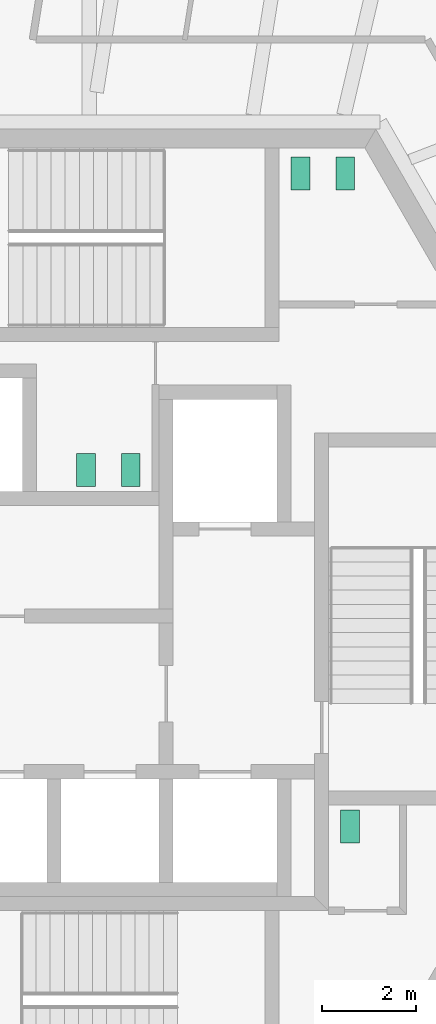
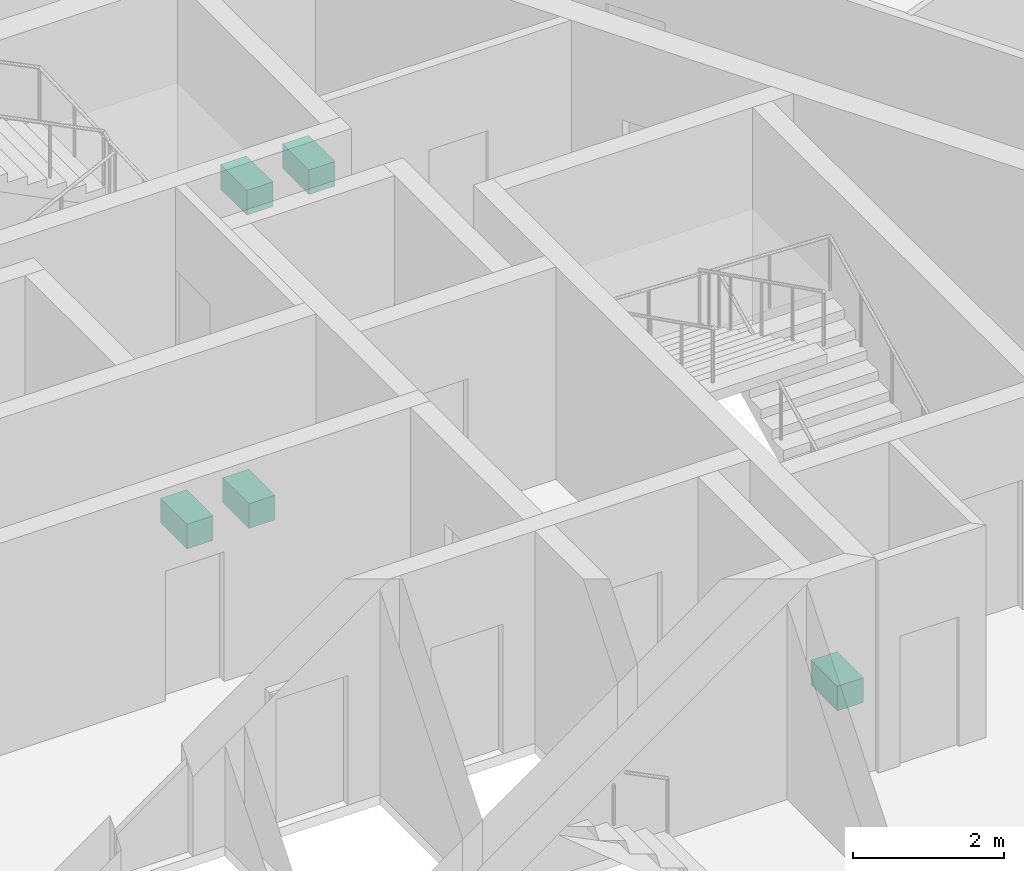
# One storey, part 17 of 19: 5 sanitary terminals.
"""IFC4 building model written with IfcOpenShell, lengths in metres."""

import ifcopenshell
import ifcopenshell.guid

model = None  # the IFC model being written
_history = None  # IfcOwnerHistory: only IFC2X3 demands one
_inside = {}  # id of a spatial element -> (the spatial element, [elements in it])
_under = {}  # id of a project, library or spatial element -> (it, [spatial elements below it])
_declared = {}  # id of a project -> (the project, [libraries it declares])
_typed = {}  # id of a type object -> (the type object, [elements of that type])
_made_of = {}  # id of a material, layer set ... -> (it, [elements and type objects made of it])


def new_model(schema):
    """Start an empty IFC model of exactly this schema.

    Asked for "IFC4X3", IfcOpenShell would pick the latest addendum, in which some entities
    have other attributes; the version numbers below select the first issue.
    IFC2X3 requires an IfcOwnerHistory on every rooted entity: one is made here for all.
    """
    global model, _history
    if schema == "IFC4X3":
        model = ifcopenshell.file(schema_version=(4, 3, 0, 0))
    else:
        model = ifcopenshell.file(schema=schema)
    _inside.clear()
    _under.clear()
    _declared.clear()
    _typed.clear()
    _made_of.clear()
    _history = None
    if model.schema == "IFC2X3":
        org = make("IfcOrganization", Name="unknown")
        user = make(
            "IfcPersonAndOrganization",
            ThePerson=make("IfcPerson", FamilyName="unknown"),
            TheOrganization=org,
        )
        app = make(
            "IfcApplication",
            ApplicationDeveloper=org,
            Version="unknown",
            ApplicationFullName="unknown",
            ApplicationIdentifier="unknown",
        )
        _history = make(
            "IfcOwnerHistory",
            OwningUser=user,
            OwningApplication=app,
            ChangeAction="ADDED",
            CreationDate=0,
        )
    return model


def make(cls, **values):
    """One entity of the class cls with the attributes given. An attribute that is None is left unset."""
    return model.create_entity(
        cls, **{name: value for name, value in values.items() if value is not None}
    )


def rooted(cls, **values):
    """An entity with a GlobalId (a new one), such as an element, a storey or a relation."""
    return make(cls, GlobalId=ifcopenshell.guid.new(), OwnerHistory=_history, **values)


def si_unit(unit_type, name, prefix=None):
    """IfcSIUnit, for example si_unit("LENGTHUNIT", "METRE", prefix="MILLI")."""
    return make("IfcSIUnit", UnitType=unit_type, Prefix=prefix, Name=name)


def assignment(units):
    """IfcUnitAssignment: the units of a project."""
    return None if units is None else make("IfcUnitAssignment", Units=units)


def point(xyz):
    """IfcCartesianPoint."""
    return None if xyz is None else make("IfcCartesianPoint", Coordinates=xyz)


def direction(xyz):
    """IfcDirection."""
    return None if xyz is None else make("IfcDirection", DirectionRatios=xyz)


def frame(location, z_axis=None, x_axis=None):
    """IfcAxis2Placement3D, a coordinate frame: its origin and axes. An axis left out is left unset."""
    return make(
        "IfcAxis2Placement3D",
        Location=point(location),
        Axis=direction(z_axis),
        RefDirection=direction(x_axis),
    )


def frame_2d(location, x_axis=None):
    """IfcAxis2Placement2D, a coordinate frame in the plane: its origin and x axis."""
    return make(
        "IfcAxis2Placement2D", Location=point(location), RefDirection=direction(x_axis)
    )


def origin():
    """The frame at (0, 0, 0) with its axes left unset."""
    return frame((0.0, 0.0, 0.0))


def origin_2d():
    """The frame at (0, 0) in the plane with its x axis left unset."""
    return frame_2d((0.0, 0.0))


def place(relative_to, where):
    """IfcLocalPlacement: puts the frame where relative to a parent placement (None: the world)."""
    return make(
        "IfcLocalPlacement", PlacementRelTo=relative_to, RelativePlacement=where
    )


def context(
    kind, dimensions, precision=None, world=None, true_north=None, identifier=None
):
    """IfcGeometricRepresentationContext, for example the 3D "Model" context."""
    return make(
        "IfcGeometricRepresentationContext",
        ContextIdentifier=identifier,
        ContextType=kind,
        CoordinateSpaceDimension=dimensions,
        Precision=precision,
        WorldCoordinateSystem=world,
        TrueNorth=true_north,
    )


def subcontext(parent, identifier, kind, view, scale=None):
    """IfcGeometricRepresentationSubContext, for example "Body" below "Model"."""
    return make(
        "IfcGeometricRepresentationSubContext",
        ContextIdentifier=identifier,
        ContextType=kind,
        ParentContext=parent,
        TargetScale=scale,
        TargetView=view,
    )


def project(units=None, contexts=None):
    """IfcProject with its units and contexts."""
    return rooted(
        "IfcProject",
        Name="project",
        RepresentationContexts=contexts,
        UnitsInContext=assignment(units),
    )


def spatial(cls, under=None, at=None, **own):
    """A site, building, storey or space (cls), placed at a placement, below another one or the project."""
    s = rooted(cls, ObjectPlacement=at, **own)
    if under is not None:
        _under.setdefault(under.id(), (under, []))[1].append(s)
    return s


def profile(cls, at=None, kind="AREA", **sizes):
    """A parametric profile (cls). Its sizes go by their IFC names, for example OverallWidth=200.0."""
    return make(cls, ProfileType=kind, Position=at, **sizes)


def rectangle(**sizes):
    """IfcRectangleProfileDef."""
    return profile("IfcRectangleProfileDef", **sizes)


def extrude(swept, where, along, depth):
    """IfcExtrudedAreaSolid: the profile swept, set in the frame where, extruded along a direction by depth."""
    return make(
        "IfcExtrudedAreaSolid",
        SweptArea=swept,
        Position=where,
        ExtrudedDirection=direction(along),
        Depth=depth,
    )


def shape(context_of_items, identifier, shape_type, items):
    """IfcShapeRepresentation: the items that make up one representation, for example the "Body"."""
    return make(
        "IfcShapeRepresentation",
        ContextOfItems=context_of_items,
        RepresentationIdentifier=identifier,
        RepresentationType=shape_type,
        Items=items,
    )


def source(mapping_origin, context_of_items, identifier, shape_type, items):
    """IfcRepresentationMap: a shape defined once, which mapped items show again and again."""
    return make(
        "IfcRepresentationMap",
        MappingOrigin=mapping_origin,
        MappedRepresentation=shape(context_of_items, identifier, shape_type, items),
    )


def transform(
    local_origin,
    x_axis=None,
    y_axis=None,
    z_axis=None,
    scale=None,
    scale2=None,
    scale3=None,
    uniform=True,
):
    """IfcCartesianTransformationOperator3D, or its non-uniform kind. x_axis, y_axis, z_axis: its Axis1, 2, 3."""
    if uniform:
        return make(
            "IfcCartesianTransformationOperator3D",
            Axis1=direction(x_axis),
            Axis2=direction(y_axis),
            LocalOrigin=point(local_origin),
            Scale=scale,
            Axis3=direction(z_axis),
        )
    return make(
        "IfcCartesianTransformationOperator3DnonUniform",
        Axis1=direction(x_axis),
        Axis2=direction(y_axis),
        LocalOrigin=point(local_origin),
        Scale=scale,
        Axis3=direction(z_axis),
        Scale2=scale2,
        Scale3=scale3,
    )


def mapped(mapping_source, mapping_target):
    """IfcMappedItem: shows the shape of a source again, moved by a transform."""
    return make(
        "IfcMappedItem", MappingSource=mapping_source, MappingTarget=mapping_target
    )


def material(Name=None, Category=None):
    """IfcMaterial."""
    return make("IfcMaterial", Name=Name, Category=Category)


def made_of(thing, what):
    """Note that an element or type object is made of a material, layer set ...; save() writes the relation."""
    if what is not None:
        _made_of.setdefault(what.id(), (what, []))[1].append(thing)
    return thing


def element(
    cls,
    number,
    at=None,
    inside=None,
    cuts=None,
    type_object=None,
    material=None,
    context=None,
    identifier="Body",
    shape_type=None,
    held_by="IfcProductDefinitionShape",
    body=None,
    shapes=None,
    **own,
):
    """One element of the class cls, such as IfcWall. Its Tag is "e" and its number.

    at: its placement. inside: the storey or other place that contains it. cuts: it is an
    opening in that element (IfcRelVoidsElement). A single representation is given by context,
    identifier, shape_type and body (its items); several are given by shapes. held_by: the class
    of the entity that holds the representations. save() writes the other relations.
    """
    e = rooted(cls, Tag="e%d" % number, ObjectPlacement=at, **own)
    if body is not None:
        shapes = [shape(context, identifier, shape_type, body)]
    if shapes is not None:
        e.Representation = make(held_by, Representations=shapes)
    if inside is not None:
        _inside.setdefault(inside.id(), (inside, []))[1].append(e)
    if cuts is not None:
        rooted(
            "IfcRelVoidsElement", RelatingBuildingElement=cuts, RelatedOpeningElement=e
        )
    if type_object is not None:
        _typed.setdefault(type_object.id(), (type_object, []))[1].append(e)
    return made_of(e, material)


def aggregate(whole, parts):
    """IfcRelAggregates: a whole, such as a stair, and the parts it consists of."""
    return rooted("IfcRelAggregates", RelatingObject=whole, RelatedObjects=parts)


def save(model, path):
    """Write the relations noted so far, then the file.

    IfcRelAggregates (storeys below a building ...), IfcRelContainedInSpatialStructure (elements
    in a storey), IfcRelDefinesByType, IfcRelAssociatesMaterial and IfcRelDeclares: one each for
    every whole, place, type object, material and project.
    """
    for whole, parts in _under.values():
        aggregate(whole, parts)
    for where, things in _inside.values():
        rooted(
            "IfcRelContainedInSpatialStructure",
            RelatedElements=things,
            RelatingStructure=where,
        )
    for kind, things in _typed.values():
        rooted("IfcRelDefinesByType", RelatedObjects=things, RelatingType=kind)
    for what, things in _made_of.values():
        rooted("IfcRelAssociatesMaterial", RelatedObjects=things, RelatingMaterial=what)
    for by, libraries in _declared.values():
        rooted("IfcRelDeclares", RelatingContext=by, RelatedDefinitions=libraries)
    model.write(path)


model = new_model("IFC4")

# Units and contexts
model_context = context("Model", 3, precision=1e-05, world=origin(), true_north=direction((0.0, 1.0)))
body_context = subcontext(model_context, "Body", "Model", "MODEL_VIEW")
ifc_project = project(units=[si_unit("LENGTHUNIT", "METRE"), si_unit("AREAUNIT", "SQUARE_METRE"), si_unit("VOLUMEUNIT", "CUBIC_METRE"), si_unit("PLANEANGLEUNIT", "RADIAN"), si_unit("MASSUNIT", "GRAM", prefix="KILO")], contexts=[model_context])

# Site, building, storey
site_placement = place(None, origin())
site = spatial("IfcSite", under=ifc_project, at=site_placement, CompositionType="ELEMENT")
building_placement = place(site_placement, origin())
building = spatial("IfcBuilding", under=site, at=building_placement, Name="Triune Harvest Tower", CompositionType="ELEMENT")
storey_placement = place(building_placement, frame((0.0, 0.0, 149.699951171875)))
storey = spatial("IfcBuildingStorey", under=building, at=storey_placement, Name="L38", CompositionType="ELEMENT", Elevation=149.699951171875)

# Sanitary terminals
ifc_material = material(Name="Vitreous china")
shared_shape = source(origin(), body_context, "Body", "SweptSolid", [
    extrude(rectangle(XDim=0.39990234375, YDim=0.699951171875, at=origin_2d()), origin(), (0.0, 0.0, 1.0), 0.39990234375),
])
for number, where, z_axis, x_axis, name in (
    (1, (4.39990234375, 9.449951171875, 0.0), (0.0, 0.0, 1.0), (1.0, 0.0, 0.0), "Toilet pan L38.c01"),
    (2, (5.35009765625, 9.449951171875, 0.0), (0.0, 0.0, 1.0), (1.0, 0.0, 0.0), "Toilet pan L38.c02"),
    (3, (0.800048828125, 3.159912109375, 0.0), (0.0, 0.0, 1.0), (-1.0, 0.0, 0.0), "Toilet pan L38.c03"),
    (4, (-0.14990234375, 3.159912109375, 0.0), (0.0, 0.0, 1.0), (-1.0, 0.0, 0.0), "Toilet pan L38.c04"),
    (5, (5.449951171875, -4.39990234375, 0.0), (0.0, 0.0, 1.0), (1.0, 0.0, 0.0), "Toilet pan L38.c05"),
):
    element("IfcSanitaryTerminal", number, at=place(storey_placement, frame(where, z_axis=z_axis, x_axis=x_axis)), inside=storey, material=ifc_material, Name=name, PredefinedType="TOILETPAN", context=body_context, shape_type="MappedRepresentation", body=[
        mapped(shared_shape, transform((0.0, 0.0, 0.0), scale=1.0)),
    ])

save(model, "model.ifc")
